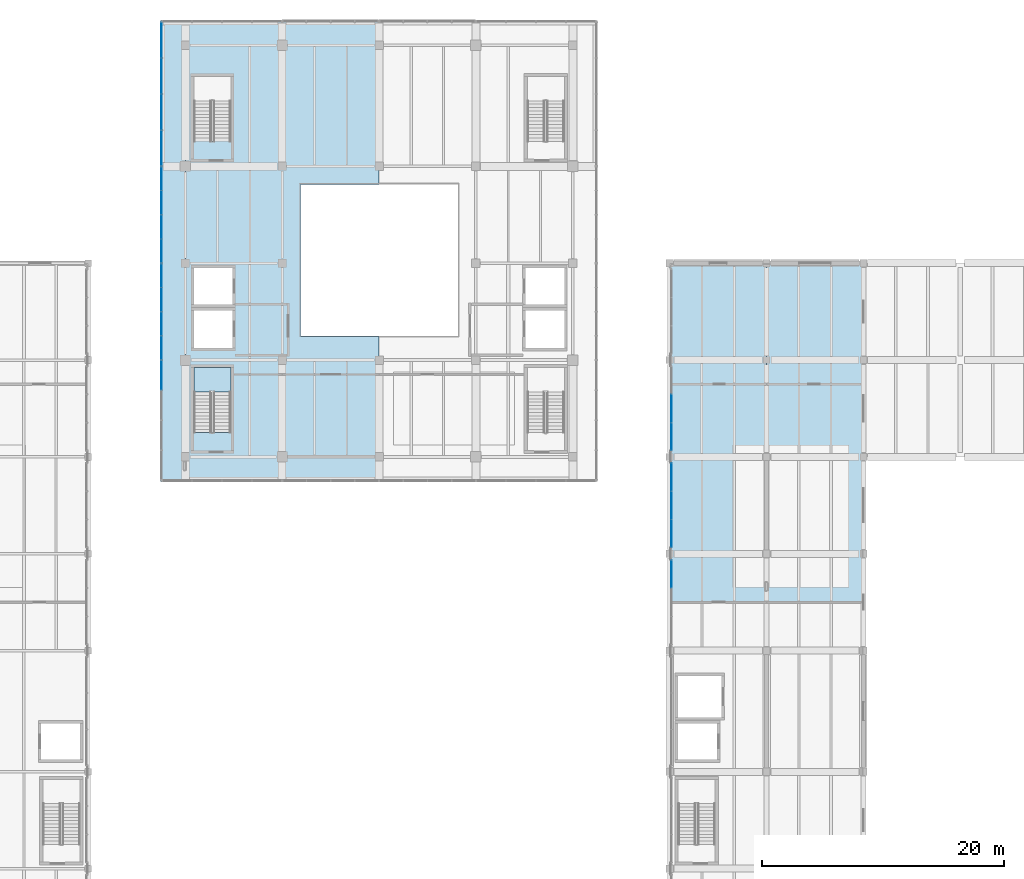
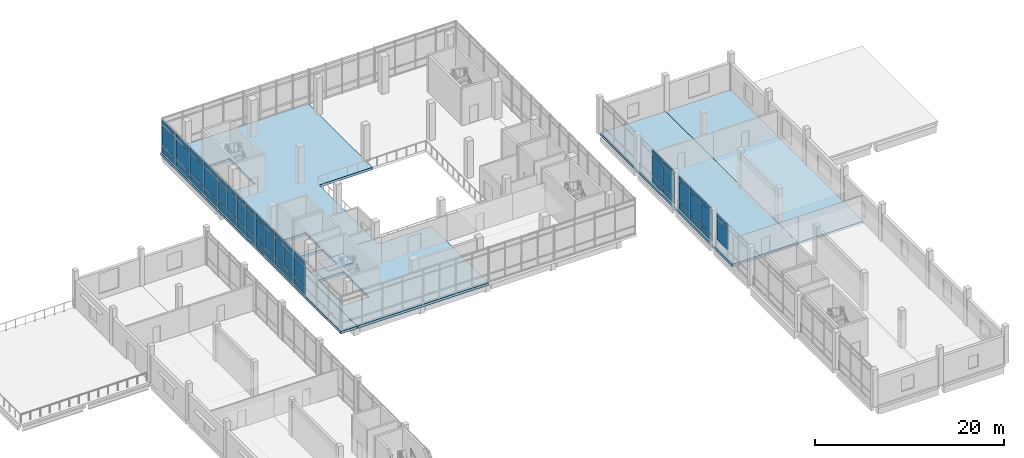
# One storey, part 28 of 47: 56 plates, 5 slabs, 8 elements without a shape of their own.
"""IFC4 building model written with IfcOpenShell, lengths in metres."""

from ifc_helpers import new_model, si_unit, direction, frame, origin, origin_2d, place, context, subcontext, project, spatial, polyline, rectangle, outline, extrude, material, layer, layer_set, type_object, element, aggregate, save


model = new_model("IFC4")

# Units and contexts
model_context = context("Model", 3, precision=1e-05, world=origin(), true_north=direction((0.0, 1.0)))
body_context = subcontext(model_context, "Body", "Model", "MODEL_VIEW")
ifc_project = project(units=[si_unit("LENGTHUNIT", "METRE"), si_unit("AREAUNIT", "SQUARE_METRE"), si_unit("VOLUMEUNIT", "CUBIC_METRE"), si_unit("PLANEANGLEUNIT", "RADIAN"), si_unit("MASSUNIT", "GRAM", prefix="KILO")], contexts=[model_context])

# Site, building, storey
site_placement = place(None, origin())
site = spatial("IfcSite", under=ifc_project, at=site_placement, CompositionType="ELEMENT")
building_placement = place(site_placement, origin())
building = spatial("IfcBuilding", under=site, at=building_placement, Name="Pecanmere Concourse Central Library", CompositionType="ELEMENT")
storey_placement = place(building_placement, frame((0.0, 0.0, 15.300048828125)))
storey = spatial("IfcBuildingStorey", under=building, at=storey_placement, Name="L04", CompositionType="ELEMENT", Elevation=15.300048828125)

# Curtain wall, plates
ifc_material_1 = material(Name="Anodized bronze aluminium alloy 6063-T6", Category="aluminium")
curtain_wall_type_1 = type_object("IfcCurtainWallType", Name="CW_PLUMB_BANDED", PredefinedType="USERDEFINED", material=ifc_material_1)
curtain_wall_1_placement = place(storey_placement, origin())
curtain_wall_1 = element("IfcCurtainWall", 1, at=curtain_wall_1_placement, inside=storey, type_object=curtain_wall_type_1, Name="Unitised Curtain Wall CW-02 L04-050", ObjectType="UNITISED CURTAIN WALL", PredefinedType="USERDEFINED")
ifc_material_2 = material(Name="White ceramic-fritted insulated spandrel glazing", Category="glass")
ifc_layer_1 = layer(ifc_material_2, 0.053955078125, Name="CWP_SPN_54")
ifc_layer_set_1 = layer_set([ifc_layer_1], Name="White ceramic-fritted insulated spandrel glazing")
plate_type_1 = type_object("IfcPlateType", Name="CWP_SPN_54", PredefinedType="CURTAIN_PANEL", material=ifc_layer_set_1)
plate_1_placement = place(storey_placement, frame((70.03857421875, 124.415771484375, 0.159912109375), z_axis=(0.0, 0.0, 1.0), x_axis=(0.0, -1.0, 0.0)))
plate_1 = element("IfcPlate", 2, at=plate_1_placement, type_object=plate_type_1, Name="CW-02 Spandrel Panel 1.1", PredefinedType="CURTAIN_PANEL", context=body_context, shape_type="SweptSolid", body=[
    extrude(rectangle(XDim=2.881591796875, YDim=0.035888671875, at=origin_2d()), origin(), (0.0, 0.0, 1.0), 0.81005859375),
])
plate_2_placement = place(storey_placement, frame((70.03857421875, 121.452880859375, 0.159912109375), z_axis=(0.0, 0.0, 1.0), x_axis=(0.0, -1.0, 0.0)))
plate_2 = element("IfcPlate", 3, at=plate_2_placement, type_object=plate_type_1, Name="CW-02 Spandrel Panel 2.1", PredefinedType="CURTAIN_PANEL", context=body_context, shape_type="SweptSolid", body=[
    extrude(rectangle(XDim=2.9140625, YDim=0.035888671875, at=origin_2d()), origin(), (0.0, 0.0, 1.0), 0.81005859375),
])
plate_3_placement = place(storey_placement, frame((70.03857421875, 118.4736328125, 0.159912109375), z_axis=(0.0, 0.0, 1.0), x_axis=(0.0, -1.0, 0.0)))
plate_3 = element("IfcPlate", 4, at=plate_3_placement, type_object=plate_type_1, Name="CW-02 Spandrel Panel 3.1", PredefinedType="CURTAIN_PANEL", context=body_context, shape_type="SweptSolid", body=[
    extrude(rectangle(XDim=2.9140625, YDim=0.035888671875, at=origin_2d()), origin(), (0.0, 0.0, 1.0), 0.81005859375),
])
plate_4_placement = place(storey_placement, frame((70.03857421875, 115.5107421875, 0.159912109375), z_axis=(0.0, 0.0, 1.0), x_axis=(0.0, -1.0, 0.0)))
plate_4 = element("IfcPlate", 5, at=plate_4_placement, type_object=plate_type_1, Name="CW-02 Spandrel Panel 4.1", PredefinedType="CURTAIN_PANEL", context=body_context, shape_type="SweptSolid", body=[
    extrude(rectangle(XDim=2.881591796875, YDim=0.035888671875, at=origin_2d()), origin(), (0.0, 0.0, 1.0), 0.81005859375),
])

curtain_wall_2_placement = place(storey_placement, origin())
curtain_wall_2 = element("IfcCurtainWall", 6, at=curtain_wall_2_placement, inside=storey, type_object=curtain_wall_type_1, Name="Unitised Curtain Wall CW-02 L04-051", ObjectType="UNITISED CURTAIN WALL", PredefinedType="USERDEFINED")
plate_5_placement = place(storey_placement, frame((70.03857421875, 112.97998046875, 0.159912109375), z_axis=(0.0, 0.0, 1.0), x_axis=(0.0, -1.0, 0.0)))
plate_5 = element("IfcPlate", 7, at=plate_5_placement, type_object=plate_type_1, Name="CW-02 Spandrel Panel 1.1", PredefinedType="CURTAIN_PANEL", context=body_context, shape_type="SweptSolid", body=[
    extrude(rectangle(XDim=1.89990234375, YDim=0.035888671875, at=origin_2d()), origin(), (0.0, 0.0, 1.0), 0.81005859375),
])
plate_6_placement = place(storey_placement, frame((70.03857421875, 110.998779296875, 0.159912109375), z_axis=(0.0, 0.0, 1.0), x_axis=(0.0, -1.0, 0.0)))
plate_6 = element("IfcPlate", 8, at=plate_6_placement, type_object=plate_type_1, Name="CW-02 Spandrel Panel 2.1", PredefinedType="CURTAIN_PANEL", context=body_context, shape_type="SweptSolid", body=[
    extrude(rectangle(XDim=1.9326171875, YDim=0.035888671875, at=origin_2d()), origin(), (0.0, 0.0, 1.0), 0.81005859375),
])
plate_7_placement = place(storey_placement, frame((70.03857421875, 109.001220703125, 0.159912109375), z_axis=(0.0, 0.0, 1.0), x_axis=(0.0, -1.0, 0.0)))
plate_7 = element("IfcPlate", 9, at=plate_7_placement, type_object=plate_type_1, Name="CW-02 Spandrel Panel 3.1", PredefinedType="CURTAIN_PANEL", context=body_context, shape_type="SweptSolid", body=[
    extrude(rectangle(XDim=1.9326171875, YDim=0.035888671875, at=origin_2d()), origin(), (0.0, 0.0, 1.0), 0.81005859375),
])
plate_8_placement = place(storey_placement, frame((70.03857421875, 107.02001953125, 0.159912109375), z_axis=(0.0, 0.0, 1.0), x_axis=(0.0, -1.0, 0.0)))
plate_8 = element("IfcPlate", 10, at=plate_8_placement, type_object=plate_type_1, Name="CW-02 Spandrel Panel 4.1", PredefinedType="CURTAIN_PANEL", context=body_context, shape_type="SweptSolid", body=[
    extrude(rectangle(XDim=1.89990234375, YDim=0.035888671875, at=origin_2d()), origin(), (0.0, 0.0, 1.0), 0.81005859375),
])

curtain_wall_3_placement = place(storey_placement, origin())
curtain_wall_3 = element("IfcCurtainWall", 11, at=curtain_wall_3_placement, inside=storey, type_object=curtain_wall_type_1, Name="Unitised Curtain Wall CW-02 L04-052", ObjectType="UNITISED CURTAIN WALL", PredefinedType="USERDEFINED")
plate_9_placement = place(storey_placement, frame((70.03857421875, 104.97998046875, 0.159912109375), z_axis=(0.0, 0.0, 1.0), x_axis=(0.0, -1.0, 0.0)))
plate_9 = element("IfcPlate", 12, at=plate_9_placement, type_object=plate_type_1, Name="CW-02 Spandrel Panel 1.1", PredefinedType="CURTAIN_PANEL", context=body_context, shape_type="SweptSolid", body=[
    extrude(rectangle(XDim=1.89990234375, YDim=0.035888671875, at=origin_2d()), origin(), (0.0, 0.0, 1.0), 0.81005859375),
])
plate_10_placement = place(storey_placement, frame((70.03857421875, 102.998779296875, 0.159912109375), z_axis=(0.0, 0.0, 1.0), x_axis=(0.0, -1.0, 0.0)))
plate_10 = element("IfcPlate", 13, at=plate_10_placement, type_object=plate_type_1, Name="CW-02 Spandrel Panel 2.1", PredefinedType="CURTAIN_PANEL", context=body_context, shape_type="SweptSolid", body=[
    extrude(rectangle(XDim=1.9326171875, YDim=0.035888671875, at=origin_2d()), origin(), (0.0, 0.0, 1.0), 0.81005859375),
])
plate_11_placement = place(storey_placement, frame((70.03857421875, 101.001220703125, 0.159912109375), z_axis=(0.0, 0.0, 1.0), x_axis=(0.0, -1.0, 0.0)))
plate_11 = element("IfcPlate", 14, at=plate_11_placement, type_object=plate_type_1, Name="CW-02 Spandrel Panel 3.1", PredefinedType="CURTAIN_PANEL", context=body_context, shape_type="SweptSolid", body=[
    extrude(rectangle(XDim=1.9326171875, YDim=0.035888671875, at=origin_2d()), origin(), (0.0, 0.0, 1.0), 0.81005859375),
])
plate_12_placement = place(storey_placement, frame((70.03857421875, 99.02001953125, 0.159912109375), z_axis=(0.0, 0.0, 1.0), x_axis=(0.0, -1.0, 0.0)))
plate_12 = element("IfcPlate", 15, at=plate_12_placement, type_object=plate_type_1, Name="CW-02 Spandrel Panel 4.1", PredefinedType="CURTAIN_PANEL", context=body_context, shape_type="SweptSolid", body=[
    extrude(rectangle(XDim=1.89990234375, YDim=0.035888671875, at=origin_2d()), origin(), (0.0, 0.0, 1.0), 0.81005859375),
])

# Curtain wall, plate
curtain_wall_4_placement = place(storey_placement, origin())
curtain_wall_4 = element("IfcCurtainWall", 16, at=curtain_wall_4_placement, inside=storey, type_object=curtain_wall_type_1, Name="Unitised Curtain Wall CW-02 L04-053", ObjectType="UNITISED CURTAIN WALL", PredefinedType="USERDEFINED")
plate_13_placement = place(storey_placement, frame((70.03857421875, 96.7392578125, 0.159912109375), z_axis=(0.0, 0.0, 1.0), x_axis=(0.0, -1.0, 0.0)))
plate_13 = element("IfcPlate", 17, at=plate_13_placement, type_object=plate_type_1, Name="CW-02 Spandrel Panel 1.1", PredefinedType="CURTAIN_PANEL", context=body_context, shape_type="SweptSolid", body=[
    extrude(rectangle(XDim=2.381591796875, YDim=0.035888671875, at=origin_2d()), origin(), (0.0, 0.0, 1.0), 0.81005859375),
])

# Curtain wall, plates
ifc_material_3 = material(Name="Clear anodized aluminium alloy 6063-T6", Category="aluminium")
curtain_wall_type_2 = type_object("IfcCurtainWallType", Name="CW_CLOISTER_GLAZ", PredefinedType="USERDEFINED", material=ifc_material_3)
curtain_wall_5_placement = place(storey_placement, origin())
curtain_wall_5 = element("IfcCurtainWall", 18, at=curtain_wall_5_placement, inside=storey, type_object=curtain_wall_type_2, Name="Unitised Curtain Wall CW-04 L04-147", ObjectType="UNITISED CURTAIN WALL", PredefinedType="USERDEFINED")
plate_14_placement = place(storey_placement, frame((112.14990234375, 88.331787109375, 0.139892578125), z_axis=(0.0, 0.0, 1.0), x_axis=(0.0, -1.0, 0.0)))
plate_14 = element("IfcPlate", 19, at=plate_14_placement, type_object=plate_type_1, Name="CW-04 Spandrel Panel 1.1", PredefinedType="CURTAIN_PANEL", context=body_context, shape_type="SweptSolid", body=[
    extrude(rectangle(XDim=2.256591796875, YDim=0.035888671875, at=origin_2d()), origin(), (0.0, 0.0, 1.0), 0.7900390625),
])
plate_15_placement = place(storey_placement, frame((112.14990234375, 86.0, 0.139892578125), z_axis=(0.0, 0.0, 1.0), x_axis=(0.0, -1.0, 0.0)))
plate_15 = element("IfcPlate", 20, at=plate_15_placement, type_object=plate_type_1, Name="CW-04 Spandrel Panel 2.1", PredefinedType="CURTAIN_PANEL", context=body_context, shape_type="SweptSolid", body=[
    extrude(rectangle(XDim=2.28662109375, YDim=0.035888671875, at=origin_2d()), origin(), (0.0, 0.0, 1.0), 0.7900390625),
])
plate_16_placement = place(storey_placement, frame((112.14990234375, 83.668212890625, 0.139892578125), z_axis=(0.0, 0.0, 1.0), x_axis=(0.0, -1.0, 0.0)))
plate_16 = element("IfcPlate", 21, at=plate_16_placement, type_object=plate_type_1, Name="CW-04 Spandrel Panel 3.1", PredefinedType="CURTAIN_PANEL", context=body_context, shape_type="SweptSolid", body=[
    extrude(rectangle(XDim=2.256591796875, YDim=0.035888671875, at=origin_2d()), origin(), (0.0, 0.0, 1.0), 0.7900390625),
])

curtain_wall_6_placement = place(storey_placement, origin())
curtain_wall_6 = element("IfcCurtainWall", 22, at=curtain_wall_6_placement, inside=storey, type_object=curtain_wall_type_2, Name="Unitised Curtain Wall CW-04 L04-149", ObjectType="UNITISED CURTAIN WALL", PredefinedType="USERDEFINED")
plate_17_placement = place(storey_placement, frame((112.14990234375, 94.0, 0.139892578125), z_axis=(0.0, 0.0, 1.0), x_axis=(0.0, -1.0, 0.0)))
plate_17 = element("IfcPlate", 23, at=plate_17_placement, type_object=plate_type_1, Name="CW-04 Spandrel Panel 2.1", PredefinedType="CURTAIN_PANEL", context=body_context, shape_type="SweptSolid", body=[
    extrude(rectangle(XDim=2.28662109375, YDim=0.035888671875, at=origin_2d()), origin(), (0.0, 0.0, 1.0), 0.7900390625),
])
plate_18_placement = place(storey_placement, frame((112.14990234375, 91.668212890625, 0.139892578125), z_axis=(0.0, 0.0, 1.0), x_axis=(0.0, -1.0, 0.0)))
plate_18 = element("IfcPlate", 24, at=plate_18_placement, type_object=plate_type_1, Name="CW-04 Spandrel Panel 3.1", PredefinedType="CURTAIN_PANEL", context=body_context, shape_type="SweptSolid", body=[
    extrude(rectangle(XDim=2.256591796875, YDim=0.035888671875, at=origin_2d()), origin(), (0.0, 0.0, 1.0), 0.7900390625),
])

# Plate
ifc_material_4 = material(Name="Low-iron clear insulated glazing", Category="glass")
ifc_layer_2 = layer(ifc_material_4, 0.035888671875, Name="CWP_VIS_36")
ifc_layer_set_2 = layer_set([ifc_layer_2], Name="Low-iron clear insulated glazing")
plate_type_2 = type_object("IfcPlateType", Name="CWP_VIS_36", PredefinedType="CURTAIN_PANEL", material=ifc_layer_set_2)
plate_19_placement = place(storey_placement, frame((70.03857421875, 124.415771484375, 1.1298828125), z_axis=(0.0, 0.0, 1.0), x_axis=(0.0, -1.0, 0.0)))
plate_19 = element("IfcPlate", 25, at=plate_19_placement, type_object=plate_type_2, Name="CW-02 Vision Panel 1.2", PredefinedType="CURTAIN_PANEL", context=body_context, shape_type="SweptSolid", body=[
    extrude(rectangle(XDim=2.881591796875, YDim=0.035888671875, at=origin_2d()), origin(), (0.0, 0.0, 1.0), 2.56005859375),
])

plate_20_placement = place(storey_placement, frame((70.03857421875, 124.415771484375, 3.85009765625), z_axis=(0.0, 0.0, 1.0), x_axis=(0.0, -1.0, 0.0)))
plate_20 = element("IfcPlate", 26, at=plate_20_placement, type_object=plate_type_2, Name="CW-02 Vision Panel 1.3", PredefinedType="CURTAIN_PANEL", context=body_context, shape_type="SweptSolid", body=[
    extrude(rectangle(XDim=2.881591796875, YDim=0.035888671875, at=origin_2d()), origin(), (0.0, 0.0, 1.0), 0.510009765625),
])

plate_21_placement = place(storey_placement, frame((70.03857421875, 121.452880859375, 1.1298828125), z_axis=(0.0, 0.0, 1.0), x_axis=(0.0, -1.0, 0.0)))
plate_21 = element("IfcPlate", 27, at=plate_21_placement, type_object=plate_type_2, Name="CW-02 Vision Panel 2.2", PredefinedType="CURTAIN_PANEL", context=body_context, shape_type="SweptSolid", body=[
    extrude(rectangle(XDim=2.9140625, YDim=0.035888671875, at=origin_2d()), origin(), (0.0, 0.0, 1.0), 2.56005859375),
])

plate_22_placement = place(storey_placement, frame((70.03857421875, 121.452880859375, 3.85009765625), z_axis=(0.0, 0.0, 1.0), x_axis=(0.0, -1.0, 0.0)))
plate_22 = element("IfcPlate", 28, at=plate_22_placement, type_object=plate_type_2, Name="CW-02 Vision Panel 2.3", PredefinedType="CURTAIN_PANEL", context=body_context, shape_type="SweptSolid", body=[
    extrude(rectangle(XDim=2.9140625, YDim=0.035888671875, at=origin_2d()), origin(), (0.0, 0.0, 1.0), 0.510009765625),
])

plate_23_placement = place(storey_placement, frame((70.03857421875, 118.4736328125, 1.1298828125), z_axis=(0.0, 0.0, 1.0), x_axis=(0.0, -1.0, 0.0)))
plate_23 = element("IfcPlate", 29, at=plate_23_placement, type_object=plate_type_2, Name="CW-02 Vision Panel 3.2", PredefinedType="CURTAIN_PANEL", context=body_context, shape_type="SweptSolid", body=[
    extrude(rectangle(XDim=2.9140625, YDim=0.035888671875, at=origin_2d()), origin(), (0.0, 0.0, 1.0), 2.56005859375),
])

plate_24_placement = place(storey_placement, frame((70.03857421875, 118.4736328125, 3.85009765625), z_axis=(0.0, 0.0, 1.0), x_axis=(0.0, -1.0, 0.0)))
plate_24 = element("IfcPlate", 30, at=plate_24_placement, type_object=plate_type_2, Name="CW-02 Vision Panel 3.3", PredefinedType="CURTAIN_PANEL", context=body_context, shape_type="SweptSolid", body=[
    extrude(rectangle(XDim=2.9140625, YDim=0.035888671875, at=origin_2d()), origin(), (0.0, 0.0, 1.0), 0.510009765625),
])

plate_25_placement = place(storey_placement, frame((70.03857421875, 115.5107421875, 1.1298828125), z_axis=(0.0, 0.0, 1.0), x_axis=(0.0, -1.0, 0.0)))
plate_25 = element("IfcPlate", 31, at=plate_25_placement, type_object=plate_type_2, Name="CW-02 Vision Panel 4.2", PredefinedType="CURTAIN_PANEL", context=body_context, shape_type="SweptSolid", body=[
    extrude(rectangle(XDim=2.881591796875, YDim=0.035888671875, at=origin_2d()), origin(), (0.0, 0.0, 1.0), 2.56005859375),
])

plate_26_placement = place(storey_placement, frame((70.03857421875, 115.5107421875, 3.85009765625), z_axis=(0.0, 0.0, 1.0), x_axis=(0.0, -1.0, 0.0)))
plate_26 = element("IfcPlate", 32, at=plate_26_placement, type_object=plate_type_2, Name="CW-02 Vision Panel 4.3", PredefinedType="CURTAIN_PANEL", context=body_context, shape_type="SweptSolid", body=[
    extrude(rectangle(XDim=2.881591796875, YDim=0.035888671875, at=origin_2d()), origin(), (0.0, 0.0, 1.0), 0.510009765625),
])

aggregate(curtain_wall_1, [plate_1, plate_19, plate_20, plate_2, plate_21, plate_22, plate_3, plate_23, plate_24, plate_4, plate_25, plate_26])

plate_27_placement = place(storey_placement, frame((70.03857421875, 112.97998046875, 1.1298828125), z_axis=(0.0, 0.0, 1.0), x_axis=(0.0, -1.0, 0.0)))
plate_27 = element("IfcPlate", 33, at=plate_27_placement, type_object=plate_type_2, Name="CW-02 Vision Panel 1.2", PredefinedType="CURTAIN_PANEL", context=body_context, shape_type="SweptSolid", body=[
    extrude(rectangle(XDim=1.89990234375, YDim=0.035888671875, at=origin_2d()), origin(), (0.0, 0.0, 1.0), 2.56005859375),
])

plate_28_placement = place(storey_placement, frame((70.03857421875, 112.97998046875, 3.85009765625), z_axis=(0.0, 0.0, 1.0), x_axis=(0.0, -1.0, 0.0)))
plate_28 = element("IfcPlate", 34, at=plate_28_placement, type_object=plate_type_2, Name="CW-02 Vision Panel 1.3", PredefinedType="CURTAIN_PANEL", context=body_context, shape_type="SweptSolid", body=[
    extrude(rectangle(XDim=1.89990234375, YDim=0.035888671875, at=origin_2d()), origin(), (0.0, 0.0, 1.0), 0.510009765625),
])

plate_29_placement = place(storey_placement, frame((70.03857421875, 110.998779296875, 1.1298828125), z_axis=(0.0, 0.0, 1.0), x_axis=(0.0, -1.0, 0.0)))
plate_29 = element("IfcPlate", 35, at=plate_29_placement, type_object=plate_type_2, Name="CW-02 Vision Panel 2.2", PredefinedType="CURTAIN_PANEL", context=body_context, shape_type="SweptSolid", body=[
    extrude(rectangle(XDim=1.9326171875, YDim=0.035888671875, at=origin_2d()), origin(), (0.0, 0.0, 1.0), 2.56005859375),
])

plate_30_placement = place(storey_placement, frame((70.03857421875, 110.998779296875, 3.85009765625), z_axis=(0.0, 0.0, 1.0), x_axis=(0.0, -1.0, 0.0)))
plate_30 = element("IfcPlate", 36, at=plate_30_placement, type_object=plate_type_2, Name="CW-02 Vision Panel 2.3", PredefinedType="CURTAIN_PANEL", context=body_context, shape_type="SweptSolid", body=[
    extrude(rectangle(XDim=1.9326171875, YDim=0.035888671875, at=origin_2d()), origin(), (0.0, 0.0, 1.0), 0.510009765625),
])

plate_31_placement = place(storey_placement, frame((70.03857421875, 109.001220703125, 1.1298828125), z_axis=(0.0, 0.0, 1.0), x_axis=(0.0, -1.0, 0.0)))
plate_31 = element("IfcPlate", 37, at=plate_31_placement, type_object=plate_type_2, Name="CW-02 Vision Panel 3.2", PredefinedType="CURTAIN_PANEL", context=body_context, shape_type="SweptSolid", body=[
    extrude(rectangle(XDim=1.9326171875, YDim=0.035888671875, at=origin_2d()), origin(), (0.0, 0.0, 1.0), 2.56005859375),
])

plate_32_placement = place(storey_placement, frame((70.03857421875, 109.001220703125, 3.85009765625), z_axis=(0.0, 0.0, 1.0), x_axis=(0.0, -1.0, 0.0)))
plate_32 = element("IfcPlate", 38, at=plate_32_placement, type_object=plate_type_2, Name="CW-02 Vision Panel 3.3", PredefinedType="CURTAIN_PANEL", context=body_context, shape_type="SweptSolid", body=[
    extrude(rectangle(XDim=1.9326171875, YDim=0.035888671875, at=origin_2d()), origin(), (0.0, 0.0, 1.0), 0.510009765625),
])

plate_33_placement = place(storey_placement, frame((70.03857421875, 107.02001953125, 1.1298828125), z_axis=(0.0, 0.0, 1.0), x_axis=(0.0, -1.0, 0.0)))
plate_33 = element("IfcPlate", 39, at=plate_33_placement, type_object=plate_type_2, Name="CW-02 Vision Panel 4.2", PredefinedType="CURTAIN_PANEL", context=body_context, shape_type="SweptSolid", body=[
    extrude(rectangle(XDim=1.89990234375, YDim=0.035888671875, at=origin_2d()), origin(), (0.0, 0.0, 1.0), 2.56005859375),
])

plate_34_placement = place(storey_placement, frame((70.03857421875, 107.02001953125, 3.85009765625), z_axis=(0.0, 0.0, 1.0), x_axis=(0.0, -1.0, 0.0)))
plate_34 = element("IfcPlate", 40, at=plate_34_placement, type_object=plate_type_2, Name="CW-02 Vision Panel 4.3", PredefinedType="CURTAIN_PANEL", context=body_context, shape_type="SweptSolid", body=[
    extrude(rectangle(XDim=1.89990234375, YDim=0.035888671875, at=origin_2d()), origin(), (0.0, 0.0, 1.0), 0.510009765625),
])

aggregate(curtain_wall_2, [plate_5, plate_27, plate_28, plate_6, plate_29, plate_30, plate_7, plate_31, plate_32, plate_8, plate_33, plate_34])

plate_35_placement = place(storey_placement, frame((70.03857421875, 104.97998046875, 1.1298828125), z_axis=(0.0, 0.0, 1.0), x_axis=(0.0, -1.0, 0.0)))
plate_35 = element("IfcPlate", 41, at=plate_35_placement, type_object=plate_type_2, Name="CW-02 Vision Panel 1.2", PredefinedType="CURTAIN_PANEL", context=body_context, shape_type="SweptSolid", body=[
    extrude(rectangle(XDim=1.89990234375, YDim=0.035888671875, at=origin_2d()), origin(), (0.0, 0.0, 1.0), 2.56005859375),
])

plate_36_placement = place(storey_placement, frame((70.03857421875, 104.97998046875, 3.85009765625), z_axis=(0.0, 0.0, 1.0), x_axis=(0.0, -1.0, 0.0)))
plate_36 = element("IfcPlate", 42, at=plate_36_placement, type_object=plate_type_2, Name="CW-02 Vision Panel 1.3", PredefinedType="CURTAIN_PANEL", context=body_context, shape_type="SweptSolid", body=[
    extrude(rectangle(XDim=1.89990234375, YDim=0.035888671875, at=origin_2d()), origin(), (0.0, 0.0, 1.0), 0.510009765625),
])

plate_37_placement = place(storey_placement, frame((70.03857421875, 102.998779296875, 1.1298828125), z_axis=(0.0, 0.0, 1.0), x_axis=(0.0, -1.0, 0.0)))
plate_37 = element("IfcPlate", 43, at=plate_37_placement, type_object=plate_type_2, Name="CW-02 Vision Panel 2.2", PredefinedType="CURTAIN_PANEL", context=body_context, shape_type="SweptSolid", body=[
    extrude(rectangle(XDim=1.9326171875, YDim=0.035888671875, at=origin_2d()), origin(), (0.0, 0.0, 1.0), 2.56005859375),
])

plate_38_placement = place(storey_placement, frame((70.03857421875, 102.998779296875, 3.85009765625), z_axis=(0.0, 0.0, 1.0), x_axis=(0.0, -1.0, 0.0)))
plate_38 = element("IfcPlate", 44, at=plate_38_placement, type_object=plate_type_2, Name="CW-02 Vision Panel 2.3", PredefinedType="CURTAIN_PANEL", context=body_context, shape_type="SweptSolid", body=[
    extrude(rectangle(XDim=1.9326171875, YDim=0.035888671875, at=origin_2d()), origin(), (0.0, 0.0, 1.0), 0.510009765625),
])

plate_39_placement = place(storey_placement, frame((70.03857421875, 101.001220703125, 1.1298828125), z_axis=(0.0, 0.0, 1.0), x_axis=(0.0, -1.0, 0.0)))
plate_39 = element("IfcPlate", 45, at=plate_39_placement, type_object=plate_type_2, Name="CW-02 Vision Panel 3.2", PredefinedType="CURTAIN_PANEL", context=body_context, shape_type="SweptSolid", body=[
    extrude(rectangle(XDim=1.9326171875, YDim=0.035888671875, at=origin_2d()), origin(), (0.0, 0.0, 1.0), 2.56005859375),
])

plate_40_placement = place(storey_placement, frame((70.03857421875, 101.001220703125, 3.85009765625), z_axis=(0.0, 0.0, 1.0), x_axis=(0.0, -1.0, 0.0)))
plate_40 = element("IfcPlate", 46, at=plate_40_placement, type_object=plate_type_2, Name="CW-02 Vision Panel 3.3", PredefinedType="CURTAIN_PANEL", context=body_context, shape_type="SweptSolid", body=[
    extrude(rectangle(XDim=1.9326171875, YDim=0.035888671875, at=origin_2d()), origin(), (0.0, 0.0, 1.0), 0.510009765625),
])

plate_41_placement = place(storey_placement, frame((70.03857421875, 99.02001953125, 1.1298828125), z_axis=(0.0, 0.0, 1.0), x_axis=(0.0, -1.0, 0.0)))
plate_41 = element("IfcPlate", 47, at=plate_41_placement, type_object=plate_type_2, Name="CW-02 Vision Panel 4.2", PredefinedType="CURTAIN_PANEL", context=body_context, shape_type="SweptSolid", body=[
    extrude(rectangle(XDim=1.89990234375, YDim=0.035888671875, at=origin_2d()), origin(), (0.0, 0.0, 1.0), 2.56005859375),
])

plate_42_placement = place(storey_placement, frame((70.03857421875, 99.02001953125, 3.85009765625), z_axis=(0.0, 0.0, 1.0), x_axis=(0.0, -1.0, 0.0)))
plate_42 = element("IfcPlate", 48, at=plate_42_placement, type_object=plate_type_2, Name="CW-02 Vision Panel 4.3", PredefinedType="CURTAIN_PANEL", context=body_context, shape_type="SweptSolid", body=[
    extrude(rectangle(XDim=1.89990234375, YDim=0.035888671875, at=origin_2d()), origin(), (0.0, 0.0, 1.0), 0.510009765625),
])

aggregate(curtain_wall_3, [plate_9, plate_35, plate_36, plate_10, plate_37, plate_38, plate_11, plate_39, plate_40, plate_12, plate_41, plate_42])

plate_43_placement = place(storey_placement, frame((70.03857421875, 96.7392578125, 1.1298828125), z_axis=(0.0, 0.0, 1.0), x_axis=(0.0, -1.0, 0.0)))
plate_43 = element("IfcPlate", 49, at=plate_43_placement, type_object=plate_type_2, Name="CW-02 Vision Panel 1.2", PredefinedType="CURTAIN_PANEL", context=body_context, shape_type="SweptSolid", body=[
    extrude(rectangle(XDim=2.381591796875, YDim=0.035888671875, at=origin_2d()), origin(), (0.0, 0.0, 1.0), 2.56005859375),
])

plate_44_placement = place(storey_placement, frame((70.03857421875, 96.7392578125, 3.85009765625), z_axis=(0.0, 0.0, 1.0), x_axis=(0.0, -1.0, 0.0)))
plate_44 = element("IfcPlate", 50, at=plate_44_placement, type_object=plate_type_2, Name="CW-02 Vision Panel 1.3", PredefinedType="CURTAIN_PANEL", context=body_context, shape_type="SweptSolid", body=[
    extrude(rectangle(XDim=2.381591796875, YDim=0.035888671875, at=origin_2d()), origin(), (0.0, 0.0, 1.0), 0.510009765625),
])

aggregate(curtain_wall_4, [plate_13, plate_43, plate_44])

# Curtain wall, plates
curtain_wall_7_placement = place(storey_placement, origin())
curtain_wall_7 = element("IfcCurtainWall", 51, at=curtain_wall_7_placement, inside=storey, type_object=curtain_wall_type_2, Name="Unitised Curtain Wall CW-04 L04-145", ObjectType="UNITISED CURTAIN WALL", PredefinedType="USERDEFINED")
plate_45_placement = place(storey_placement, frame((112.14990234375, 80.331787109375, 1.06982421875), z_axis=(0.0, 0.0, 1.0), x_axis=(0.0, -1.0, 0.0)))
plate_45 = element("IfcPlate", 52, at=plate_45_placement, type_object=plate_type_2, Name="CW-04 Vision Panel 1.2", PredefinedType="CURTAIN_PANEL", context=body_context, shape_type="SweptSolid", body=[
    extrude(rectangle(XDim=2.256591796875, YDim=0.035888671875, at=origin_2d()), origin(), (0.0, 0.0, 1.0), 2.679931640625),
])
plate_46_placement = place(storey_placement, frame((112.14990234375, 80.331787109375, 3.89013671875), z_axis=(0.0, 0.0, 1.0), x_axis=(0.0, -1.0, 0.0)))
plate_46 = element("IfcPlate", 53, at=plate_46_placement, type_object=plate_type_2, Name="CW-04 Vision Panel 1.3", PredefinedType="CURTAIN_PANEL", context=body_context, shape_type="SweptSolid", body=[
    extrude(rectangle(XDim=2.256591796875, YDim=0.035888671875, at=origin_2d()), origin(), (0.0, 0.0, 1.0), 0.489990234375),
])
aggregate(curtain_wall_7, [plate_45, plate_46])

# Plate
plate_47_placement = place(storey_placement, frame((112.14990234375, 88.331787109375, 1.06982421875), z_axis=(0.0, 0.0, 1.0), x_axis=(0.0, -1.0, 0.0)))
plate_47 = element("IfcPlate", 54, at=plate_47_placement, type_object=plate_type_2, Name="CW-04 Vision Panel 1.2", PredefinedType="CURTAIN_PANEL", context=body_context, shape_type="SweptSolid", body=[
    extrude(rectangle(XDim=2.256591796875, YDim=0.035888671875, at=origin_2d()), origin(), (0.0, 0.0, 1.0), 2.679931640625),
])

plate_48_placement = place(storey_placement, frame((112.14990234375, 88.331787109375, 3.89013671875), z_axis=(0.0, 0.0, 1.0), x_axis=(0.0, -1.0, 0.0)))
plate_48 = element("IfcPlate", 55, at=plate_48_placement, type_object=plate_type_2, Name="CW-04 Vision Panel 1.3", PredefinedType="CURTAIN_PANEL", context=body_context, shape_type="SweptSolid", body=[
    extrude(rectangle(XDim=2.256591796875, YDim=0.035888671875, at=origin_2d()), origin(), (0.0, 0.0, 1.0), 0.489990234375),
])

plate_49_placement = place(storey_placement, frame((112.14990234375, 86.0, 1.06982421875), z_axis=(0.0, 0.0, 1.0), x_axis=(0.0, -1.0, 0.0)))
plate_49 = element("IfcPlate", 56, at=plate_49_placement, type_object=plate_type_2, Name="CW-04 Vision Panel 2.2", PredefinedType="CURTAIN_PANEL", context=body_context, shape_type="SweptSolid", body=[
    extrude(rectangle(XDim=2.28662109375, YDim=0.035888671875, at=origin_2d()), origin(), (0.0, 0.0, 1.0), 2.679931640625),
])

plate_50_placement = place(storey_placement, frame((112.14990234375, 86.0, 3.89013671875), z_axis=(0.0, 0.0, 1.0), x_axis=(0.0, -1.0, 0.0)))
plate_50 = element("IfcPlate", 57, at=plate_50_placement, type_object=plate_type_2, Name="CW-04 Vision Panel 2.3", PredefinedType="CURTAIN_PANEL", context=body_context, shape_type="SweptSolid", body=[
    extrude(rectangle(XDim=2.28662109375, YDim=0.035888671875, at=origin_2d()), origin(), (0.0, 0.0, 1.0), 0.489990234375),
])

plate_51_placement = place(storey_placement, frame((112.14990234375, 83.668212890625, 1.06982421875), z_axis=(0.0, 0.0, 1.0), x_axis=(0.0, -1.0, 0.0)))
plate_51 = element("IfcPlate", 58, at=plate_51_placement, type_object=plate_type_2, Name="CW-04 Vision Panel 3.2", PredefinedType="CURTAIN_PANEL", context=body_context, shape_type="SweptSolid", body=[
    extrude(rectangle(XDim=2.256591796875, YDim=0.035888671875, at=origin_2d()), origin(), (0.0, 0.0, 1.0), 2.679931640625),
])

plate_52_placement = place(storey_placement, frame((112.14990234375, 83.668212890625, 3.89013671875), z_axis=(0.0, 0.0, 1.0), x_axis=(0.0, -1.0, 0.0)))
plate_52 = element("IfcPlate", 59, at=plate_52_placement, type_object=plate_type_2, Name="CW-04 Vision Panel 3.3", PredefinedType="CURTAIN_PANEL", context=body_context, shape_type="SweptSolid", body=[
    extrude(rectangle(XDim=2.256591796875, YDim=0.035888671875, at=origin_2d()), origin(), (0.0, 0.0, 1.0), 0.489990234375),
])

aggregate(curtain_wall_5, [plate_14, plate_47, plate_48, plate_15, plate_49, plate_50, plate_16, plate_51, plate_52])

plate_53_placement = place(storey_placement, frame((112.14990234375, 94.0, 1.06982421875), z_axis=(0.0, 0.0, 1.0), x_axis=(0.0, -1.0, 0.0)))
plate_53 = element("IfcPlate", 60, at=plate_53_placement, type_object=plate_type_2, Name="CW-04 Vision Panel 2.2", PredefinedType="CURTAIN_PANEL", context=body_context, shape_type="SweptSolid", body=[
    extrude(rectangle(XDim=2.28662109375, YDim=0.035888671875, at=origin_2d()), origin(), (0.0, 0.0, 1.0), 2.679931640625),
])

plate_54_placement = place(storey_placement, frame((112.14990234375, 94.0, 3.89013671875), z_axis=(0.0, 0.0, 1.0), x_axis=(0.0, -1.0, 0.0)))
plate_54 = element("IfcPlate", 61, at=plate_54_placement, type_object=plate_type_2, Name="CW-04 Vision Panel 2.3", PredefinedType="CURTAIN_PANEL", context=body_context, shape_type="SweptSolid", body=[
    extrude(rectangle(XDim=2.28662109375, YDim=0.035888671875, at=origin_2d()), origin(), (0.0, 0.0, 1.0), 0.489990234375),
])

plate_55_placement = place(storey_placement, frame((112.14990234375, 91.668212890625, 1.06982421875), z_axis=(0.0, 0.0, 1.0), x_axis=(0.0, -1.0, 0.0)))
plate_55 = element("IfcPlate", 62, at=plate_55_placement, type_object=plate_type_2, Name="CW-04 Vision Panel 3.2", PredefinedType="CURTAIN_PANEL", context=body_context, shape_type="SweptSolid", body=[
    extrude(rectangle(XDim=2.256591796875, YDim=0.035888671875, at=origin_2d()), origin(), (0.0, 0.0, 1.0), 2.679931640625),
])

plate_56_placement = place(storey_placement, frame((112.14990234375, 91.668212890625, 3.89013671875), z_axis=(0.0, 0.0, 1.0), x_axis=(0.0, -1.0, 0.0)))
plate_56 = element("IfcPlate", 63, at=plate_56_placement, type_object=plate_type_2, Name="CW-04 Vision Panel 3.3", PredefinedType="CURTAIN_PANEL", context=body_context, shape_type="SweptSolid", body=[
    extrude(rectangle(XDim=2.256591796875, YDim=0.035888671875, at=origin_2d()), origin(), (0.0, 0.0, 1.0), 0.489990234375),
])

aggregate(curtain_wall_6, [plate_17, plate_53, plate_54, plate_18, plate_55, plate_56])

# Stair, slab
ifc_material_5 = material(Name="Concrete C35/45", Category="concrete")
stair_type = type_object("IfcStairType", Name="STAIR_TYPE_ST-01-1846", PredefinedType="USERDEFINED", material=ifc_material_5)
stair_placement = place(storey_placement, origin())
stair = element("IfcStair", 64, at=stair_placement, inside=storey, type_object=stair_type, Name="L04 Protected Stair ST-01", ObjectType="TWO_RETURN_STAIR", PredefinedType="USERDEFINED")
ifc_material_6 = material(Name="Concrete C35/45", Category="concrete")
ifc_layer_3 = layer(ifc_material_6, 0.199951171875, Name="SLAB_LANDING_200")
ifc_layer_set_3 = layer_set([ifc_layer_3], Name="Concrete C35/45")
slab_type_1 = type_object("IfcSlabType", Name="SLAB_LANDING_200", PredefinedType="LANDING", material=ifc_layer_set_3)
slab_1_placement = place(storey_placement, frame((0.0, 0.0, 2.199951171875)))
slab_1 = element("IfcSlab", 65, at=slab_1_placement, type_object=slab_type_1, Name="ST-01-1846 landing 1", PredefinedType="LANDING", context=body_context, shape_type="SweptSolid", body=[
    extrude(outline(polyline([(75.760009765625, 95.360107421875), (75.760009765625, 97.3701171875), (72.699951171875, 97.3701171875), (72.699951171875, 95.360107421875), (75.760009765625, 95.360107421875)])), origin(), (0.0, 0.0, 1.0), 0.199951171875),
])
aggregate(stair, [slab_1])

# Slabs
ifc_material_7 = material(Name="Concrete C35/45", Category="concrete")
ifc_layer_4 = layer(ifc_material_7, 0.320068359375, Name="SLAB_STACK_320")
ifc_layer_set_4 = layer_set([ifc_layer_4], Name="Concrete C35/45")
slab_type_2 = type_object("IfcSlabType", Name="SLAB_STACK_320", PredefinedType="FLOOR", material=ifc_layer_set_4)
slab_2_placement = place(storey_placement, frame((0.0, 0.0, -0.320068359375)))
element("IfcSlab", 66, at=slab_2_placement, inside=storey, type_object=slab_type_2, Name="Floor Slab V1 L04-120", PredefinedType="FLOOR", context=body_context, shape_type="SweptSolid", body=[
    extrude(outline(polyline([(72.0, 89.55859375), (71.919921875, 89.55859375), (71.919921875, 88.95849609375), (72.0, 88.95849609375), (72.0, 87.95849609375), (69.95849609375, 87.95849609375), (69.95849609375, 126.04150390625), (72.0, 126.04150390625), (72.0, 89.55859375)])), origin(), (0.0, 0.0, 1.0), 0.320068359375),
])
slab_3_placement = place(storey_placement, frame((0.0, 0.0, -0.320068359375)))
element("IfcSlab", 67, at=slab_3_placement, inside=storey, type_object=slab_type_2, Name="Floor Slab V1 L04-121", PredefinedType="FLOOR", context=body_context, shape_type="SweptSolid", body=[
    extrude(outline(polyline([(72.0, 87.95849609375), (72.0, 126.04150390625), (88.0, 126.04150390625), (88.0, 112.5), (81.5, 112.5), (81.5, 100.0), (88.0, 100.0), (88.0, 87.95849609375), (72.0, 87.95849609375)]), holes=[polyline([(75.760009765625, 97.3701171875), (72.699951171875, 97.3701171875), (72.699951171875, 92.030029296875), (75.760009765625, 92.030029296875), (75.760009765625, 97.3701171875)]), polyline([(75.89990234375, 102.10009765625), (72.699951171875, 102.10009765625), (72.699951171875, 99.0), (75.89990234375, 99.0), (75.89990234375, 102.10009765625)]), polyline([(75.89990234375, 105.60009765625), (72.699951171875, 105.60009765625), (72.699951171875, 102.60009765625), (75.89990234375, 102.60009765625), (75.89990234375, 105.60009765625)]), polyline([(75.760009765625, 121.419921875), (72.699951171875, 121.419921875), (72.699951171875, 116.080078125), (75.760009765625, 116.080078125), (75.760009765625, 121.419921875)])]), origin(), (0.0, 0.0, 1.0), 0.320068359375),
])
slab_4_placement = place(storey_placement, frame((0.0, 0.0, -0.320068359375)))
element("IfcSlab", 68, at=slab_4_placement, inside=storey, type_object=slab_type_2, Name="Floor Slab V2 L04-125", PredefinedType="FLOOR", context=body_context, shape_type="SweptSolid", body=[
    extrude(outline(polyline([(112.0, 78.0), (112.0, 106.0), (120.0, 106.0), (120.0, 79.60009765625), (119.919921875, 79.60009765625), (119.919921875, 79.0), (120.0, 79.0), (120.0, 78.0), (112.0, 78.0)])), origin(), (0.0, 0.0, 1.0), 0.320068359375),
])
slab_5_placement = place(storey_placement, frame((0.0, 0.0, -0.320068359375)))
element("IfcSlab", 69, at=slab_5_placement, inside=storey, type_object=slab_type_2, Name="Floor Slab V2 L04-127", PredefinedType="FLOOR", context=body_context, shape_type="SweptSolid", body=[
    extrude(outline(polyline([(120.0, 106.0), (128.0, 106.0), (128.0, 79.60009765625), (127.919921875, 79.60009765625), (127.919921875, 79.0), (128.0, 79.0), (128.0, 78.0), (120.0, 78.0), (120.0, 106.0)])), origin(), (0.0, 0.0, 1.0), 0.320068359375),
])

save(model, "model.ifc")
